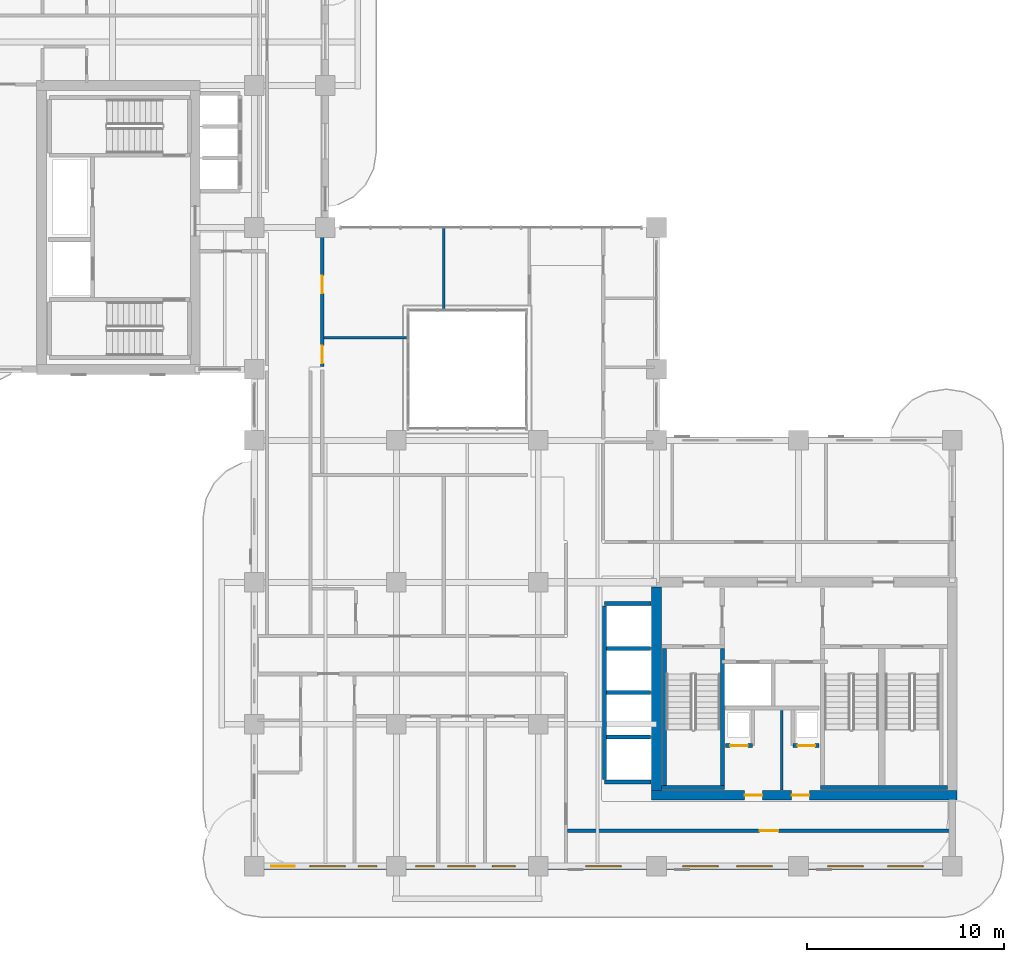
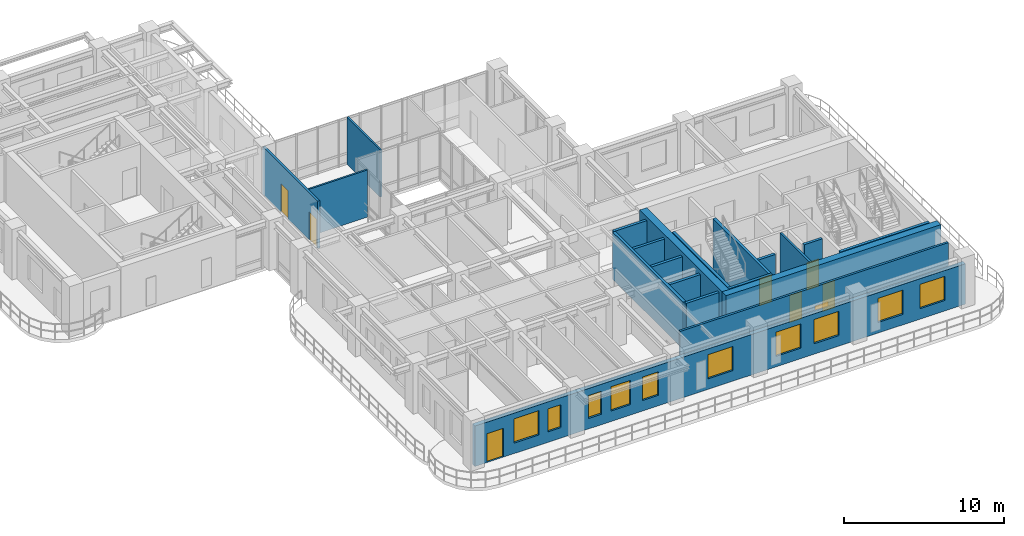
# One storey, part 12 of 20: 20 walls, 10 windows, 8 doors, 18 openings.
"""IFC4 building model written with IfcOpenShell, lengths in metres."""

import ifcopenshell
import ifcopenshell.guid

model = None  # the IFC model being written
_history = None  # IfcOwnerHistory: only IFC2X3 demands one
_inside = {}  # id of a spatial element -> (the spatial element, [elements in it])
_under = {}  # id of a project, library or spatial element -> (it, [spatial elements below it])
_declared = {}  # id of a project -> (the project, [libraries it declares])
_typed = {}  # id of a type object -> (the type object, [elements of that type])
_made_of = {}  # id of a material, layer set ... -> (it, [elements and type objects made of it])


def new_model(schema):
    """Start an empty IFC model of exactly this schema.

    Asked for "IFC4X3", IfcOpenShell would pick the latest addendum, in which some entities
    have other attributes; the version numbers below select the first issue.
    IFC2X3 requires an IfcOwnerHistory on every rooted entity: one is made here for all.
    """
    global model, _history
    if schema == "IFC4X3":
        model = ifcopenshell.file(schema_version=(4, 3, 0, 0))
    else:
        model = ifcopenshell.file(schema=schema)
    _inside.clear()
    _under.clear()
    _declared.clear()
    _typed.clear()
    _made_of.clear()
    _history = None
    if model.schema == "IFC2X3":
        org = make("IfcOrganization", Name="unknown")
        user = make(
            "IfcPersonAndOrganization",
            ThePerson=make("IfcPerson", FamilyName="unknown"),
            TheOrganization=org,
        )
        app = make(
            "IfcApplication",
            ApplicationDeveloper=org,
            Version="unknown",
            ApplicationFullName="unknown",
            ApplicationIdentifier="unknown",
        )
        _history = make(
            "IfcOwnerHistory",
            OwningUser=user,
            OwningApplication=app,
            ChangeAction="ADDED",
            CreationDate=0,
        )
    return model


def make(cls, **values):
    """One entity of the class cls with the attributes given. An attribute that is None is left unset."""
    return model.create_entity(
        cls, **{name: value for name, value in values.items() if value is not None}
    )


def rooted(cls, **values):
    """An entity with a GlobalId (a new one), such as an element, a storey or a relation."""
    return make(cls, GlobalId=ifcopenshell.guid.new(), OwnerHistory=_history, **values)


def si_unit(unit_type, name, prefix=None):
    """IfcSIUnit, for example si_unit("LENGTHUNIT", "METRE", prefix="MILLI")."""
    return make("IfcSIUnit", UnitType=unit_type, Prefix=prefix, Name=name)


def derived_unit(unit_type, elements):
    """IfcDerivedUnit: a product of units, each with its exponent."""
    return make(
        "IfcDerivedUnit",
        Elements=[
            make("IfcDerivedUnitElement", Unit=unit, Exponent=power)
            for unit, power in elements
        ],
        UnitType=unit_type,
    )


def assignment(units):
    """IfcUnitAssignment: the units of a project."""
    return None if units is None else make("IfcUnitAssignment", Units=units)


def point(xyz):
    """IfcCartesianPoint."""
    return None if xyz is None else make("IfcCartesianPoint", Coordinates=xyz)


def direction(xyz):
    """IfcDirection."""
    return None if xyz is None else make("IfcDirection", DirectionRatios=xyz)


def frame(location, z_axis=None, x_axis=None):
    """IfcAxis2Placement3D, a coordinate frame: its origin and axes. An axis left out is left unset."""
    return make(
        "IfcAxis2Placement3D",
        Location=point(location),
        Axis=direction(z_axis),
        RefDirection=direction(x_axis),
    )


def frame_2d(location, x_axis=None):
    """IfcAxis2Placement2D, a coordinate frame in the plane: its origin and x axis."""
    return make(
        "IfcAxis2Placement2D", Location=point(location), RefDirection=direction(x_axis)
    )


def origin():
    """The frame at (0, 0, 0) with its axes left unset."""
    return frame((0.0, 0.0, 0.0))


def place(relative_to, where):
    """IfcLocalPlacement: puts the frame where relative to a parent placement (None: the world)."""
    return make(
        "IfcLocalPlacement", PlacementRelTo=relative_to, RelativePlacement=where
    )


def context(
    kind, dimensions, precision=None, world=None, true_north=None, identifier=None
):
    """IfcGeometricRepresentationContext, for example the 3D "Model" context."""
    return make(
        "IfcGeometricRepresentationContext",
        ContextIdentifier=identifier,
        ContextType=kind,
        CoordinateSpaceDimension=dimensions,
        Precision=precision,
        WorldCoordinateSystem=world,
        TrueNorth=true_north,
    )


def subcontext(parent, identifier, kind, view, scale=None):
    """IfcGeometricRepresentationSubContext, for example "Body" below "Model"."""
    return make(
        "IfcGeometricRepresentationSubContext",
        ContextIdentifier=identifier,
        ContextType=kind,
        ParentContext=parent,
        TargetScale=scale,
        TargetView=view,
    )


def project(units=None, contexts=None):
    """IfcProject with its units and contexts."""
    return rooted(
        "IfcProject",
        Name="project",
        RepresentationContexts=contexts,
        UnitsInContext=assignment(units),
    )


def spatial(cls, under=None, at=None, **own):
    """A site, building, storey or space (cls), placed at a placement, below another one or the project."""
    s = rooted(cls, ObjectPlacement=at, **own)
    if under is not None:
        _under.setdefault(under.id(), (under, []))[1].append(s)
    return s


def profile(cls, at=None, kind="AREA", **sizes):
    """A parametric profile (cls). Its sizes go by their IFC names, for example OverallWidth=200.0."""
    return make(cls, ProfileType=kind, Position=at, **sizes)


def rectangle(**sizes):
    """IfcRectangleProfileDef."""
    return profile("IfcRectangleProfileDef", **sizes)


def extrude(swept, where, along, depth):
    """IfcExtrudedAreaSolid: the profile swept, set in the frame where, extruded along a direction by depth."""
    return make(
        "IfcExtrudedAreaSolid",
        SweptArea=swept,
        Position=where,
        ExtrudedDirection=direction(along),
        Depth=depth,
    )


def shape(context_of_items, identifier, shape_type, items):
    """IfcShapeRepresentation: the items that make up one representation, for example the "Body"."""
    return make(
        "IfcShapeRepresentation",
        ContextOfItems=context_of_items,
        RepresentationIdentifier=identifier,
        RepresentationType=shape_type,
        Items=items,
    )


def source(mapping_origin, context_of_items, identifier, shape_type, items):
    """IfcRepresentationMap: a shape defined once, which mapped items show again and again."""
    return make(
        "IfcRepresentationMap",
        MappingOrigin=mapping_origin,
        MappedRepresentation=shape(context_of_items, identifier, shape_type, items),
    )


def transform(
    local_origin,
    x_axis=None,
    y_axis=None,
    z_axis=None,
    scale=None,
    scale2=None,
    scale3=None,
    uniform=True,
):
    """IfcCartesianTransformationOperator3D, or its non-uniform kind. x_axis, y_axis, z_axis: its Axis1, 2, 3."""
    if uniform:
        return make(
            "IfcCartesianTransformationOperator3D",
            Axis1=direction(x_axis),
            Axis2=direction(y_axis),
            LocalOrigin=point(local_origin),
            Scale=scale,
            Axis3=direction(z_axis),
        )
    return make(
        "IfcCartesianTransformationOperator3DnonUniform",
        Axis1=direction(x_axis),
        Axis2=direction(y_axis),
        LocalOrigin=point(local_origin),
        Scale=scale,
        Axis3=direction(z_axis),
        Scale2=scale2,
        Scale3=scale3,
    )


def mapped(mapping_source, mapping_target):
    """IfcMappedItem: shows the shape of a source again, moved by a transform."""
    return make(
        "IfcMappedItem", MappingSource=mapping_source, MappingTarget=mapping_target
    )


def material(Name=None, Category=None):
    """IfcMaterial."""
    return make("IfcMaterial", Name=Name, Category=Category)


def layer(
    of_material, thickness, ventilated=None, Name=None, Category=None, Priority=None
):
    """IfcMaterialLayer: one layer of a wall or slab, of a material (None: an air gap)."""
    return make(
        "IfcMaterialLayer",
        Material=of_material,
        LayerThickness=thickness,
        IsVentilated=ventilated,
        Name=Name,
        Category=Category,
        Priority=Priority,
    )


def layer_set(layers, Name=None):
    """IfcMaterialLayerSet."""
    return make("IfcMaterialLayerSet", MaterialLayers=layers, LayerSetName=Name)


def made_of(thing, what):
    """Note that an element or type object is made of a material, layer set ...; save() writes the relation."""
    if what is not None:
        _made_of.setdefault(what.id(), (what, []))[1].append(thing)
    return thing


def type_object(cls, material=None, **own):
    """A type object (cls), such as IfcWallType, which elements share."""
    return made_of(rooted(cls, **own), material)


def type_shapes(of_type, sources):
    """Give a type object the sources (RepresentationMaps) that its elements show as mapped items."""
    of_type.RepresentationMaps = sources


def element(
    cls,
    number,
    at=None,
    inside=None,
    cuts=None,
    type_object=None,
    material=None,
    context=None,
    identifier="Body",
    shape_type=None,
    held_by="IfcProductDefinitionShape",
    body=None,
    shapes=None,
    **own,
):
    """One element of the class cls, such as IfcWall. Its Tag is "e" and its number.

    at: its placement. inside: the storey or other place that contains it. cuts: it is an
    opening in that element (IfcRelVoidsElement). A single representation is given by context,
    identifier, shape_type and body (its items); several are given by shapes. held_by: the class
    of the entity that holds the representations. save() writes the other relations.
    """
    e = rooted(cls, Tag="e%d" % number, ObjectPlacement=at, **own)
    if body is not None:
        shapes = [shape(context, identifier, shape_type, body)]
    if shapes is not None:
        e.Representation = make(held_by, Representations=shapes)
    if inside is not None:
        _inside.setdefault(inside.id(), (inside, []))[1].append(e)
    if cuts is not None:
        rooted(
            "IfcRelVoidsElement", RelatingBuildingElement=cuts, RelatedOpeningElement=e
        )
    if type_object is not None:
        _typed.setdefault(type_object.id(), (type_object, []))[1].append(e)
    return made_of(e, material)


def fill(opening, filler):
    """IfcRelFillsElement: the door or window that sits in an opening."""
    return rooted(
        "IfcRelFillsElement",
        RelatingOpeningElement=opening,
        RelatedBuildingElement=filler,
    )


def aggregate(whole, parts):
    """IfcRelAggregates: a whole, such as a stair, and the parts it consists of."""
    return rooted("IfcRelAggregates", RelatingObject=whole, RelatedObjects=parts)


def save(model, path):
    """Write the relations noted so far, then the file.

    IfcRelAggregates (storeys below a building ...), IfcRelContainedInSpatialStructure (elements
    in a storey), IfcRelDefinesByType, IfcRelAssociatesMaterial and IfcRelDeclares: one each for
    every whole, place, type object, material and project.
    """
    for whole, parts in _under.values():
        aggregate(whole, parts)
    for where, things in _inside.values():
        rooted(
            "IfcRelContainedInSpatialStructure",
            RelatedElements=things,
            RelatingStructure=where,
        )
    for kind, things in _typed.values():
        rooted("IfcRelDefinesByType", RelatedObjects=things, RelatingType=kind)
    for what, things in _made_of.values():
        rooted("IfcRelAssociatesMaterial", RelatedObjects=things, RelatingMaterial=what)
    for by, libraries in _declared.values():
        rooted("IfcRelDeclares", RelatingContext=by, RelatedDefinitions=libraries)
    model.write(path)


model = new_model("IFC4")

# Units and contexts
model_context = context("Model", 3, precision=1e-05, world=origin(), true_north=direction((0.0, 1.0)))
body_context = subcontext(model_context, "Body", "Model", "MODEL_VIEW")
ifc_project = project(units=[si_unit("LENGTHUNIT", "METRE"), si_unit("AREAUNIT", "SQUARE_METRE"), si_unit("VOLUMEUNIT", "CUBIC_METRE"), si_unit("PLANEANGLEUNIT", "RADIAN"), si_unit("MASSUNIT", "GRAM", prefix="KILO"), si_unit("THERMODYNAMICTEMPERATUREUNIT", "KELVIN"), si_unit("POWERUNIT", "WATT"), derived_unit("THERMALTRANSMITTANCEUNIT", [(si_unit("POWERUNIT", "WATT"), 1), (si_unit("AREAUNIT", "SQUARE_METRE"), -1), (si_unit("THERMODYNAMICTEMPERATUREUNIT", "KELVIN"), -1)])], contexts=[model_context])

# Site, building, storey
site_placement = place(None, origin())
site = spatial("IfcSite", under=ifc_project, at=site_placement, CompositionType="ELEMENT")
building_placement = place(site_placement, origin())
building = spatial("IfcBuilding", under=site, at=building_placement, Name="Zahravan Archway Hotel and Residences", CompositionType="ELEMENT")
storey_placement = place(building_placement, frame((0.0, 0.0, 177.25)))
storey = spatial("IfcBuildingStorey", under=building, at=storey_placement, Name="L44", CompositionType="ELEMENT", Elevation=177.25)

# Wall, openings, doors
ifc_material_1 = material(Name="Concrete C60/75", Category="concrete")
ifc_layer_1 = layer(ifc_material_1, 0.5, Name="Concrete C60/75", Category="concrete")
ifc_layer_set_1 = layer_set([ifc_layer_1], Name="Concrete C60/75")
wall_type_1 = type_object("IfcWallType", Name="CW-CORE-500", PredefinedType="SHEAR", material=ifc_layer_set_1)
wall_1_placement = place(storey_placement, frame((34.550048828125, 3.60009765625, 0.0), z_axis=(0.0, 0.0, 1.0), x_axis=(1.0, 0.0, 0.0)))
wall_1 = element("IfcWall", 1, at=wall_1_placement, inside=storey, type_object=wall_type_1, Name="L44 Core A Shear S Wall 500 mm", PredefinedType="SHEAR", context=body_context, shape_type="SweptSolid", body=[
    extrude(rectangle(XDim=15.5, YDim=0.5, at=frame_2d((7.75, 0.0))), origin(), (0.0, 0.0, 1.0), 3.85009765625),
])
opening_1_placement = place(wall_1_placement, frame((4.719970703125, 0.0, 0.0)))
opening_1 = element("IfcOpeningElement", 2, at=opening_1_placement, cuts=wall_1, Name="Opening FD-R1", PredefinedType="OPENING", context=body_context, shape_type="SweptSolid", body=[
    extrude(rectangle(XDim=0.89990234375, YDim=2.10009765625, at=frame_2d((0.449951171875, 1.050048828125))), frame((0.0, 0.260009765625, 0.0), z_axis=(0.0, -1.0, 0.0), x_axis=(1.0, 0.0, 0.0)), (0.0, 0.0, 1.0), 0.52001953125),
])
opening_2_placement = place(wall_1_placement, frame((7.10009765625, 0.0, 0.0)))
opening_2 = element("IfcOpeningElement", 3, at=opening_2_placement, cuts=wall_1, Name="Opening FD-R1", PredefinedType="OPENING", context=body_context, shape_type="SweptSolid", body=[
    extrude(rectangle(XDim=0.89990234375, YDim=2.10009765625, at=frame_2d((0.449951171875, 1.050048828125))), frame((0.0, 0.260009765625, 0.0), z_axis=(0.0, -1.0, 0.0), x_axis=(1.0, 0.0, 0.0)), (0.0, 0.0, 1.0), 0.52001953125),
])
ifc_material_2 = material(Name="Fire-Rated Painted Steel", Category="steel")
door_type_1 = type_object("IfcDoorType", Name="FD-RISER-900", OperationType="NOTDEFINED", PredefinedType="DOOR", material=ifc_material_2)
shared_shape_1 = source(origin(), body_context, "Body", "SweptSolid", [
    extrude(rectangle(XDim=0.89990234375, YDim=2.10009765625, at=frame_2d((0.449951171875, 1.050048828125))), frame((0.0, 0.02490234375, 0.0), z_axis=(0.0, -1.0, 0.0), x_axis=(1.0, 0.0, 0.0)), (0.0, 0.0, 1.0), 0.050048828125),
])
type_shapes(door_type_1, [shared_shape_1])
door_1_placement = place(opening_1_placement, origin())
door_1 = element("IfcDoor", 4, at=door_1_placement, inside=storey, type_object=door_type_1, Name="L44 Fan Room Door", OperationType="SINGLE_SWING_LEFT", OverallHeight=2.10009765625, OverallWidth=0.89990234375, PredefinedType="DOOR", context=body_context, shape_type="MappedRepresentation", body=[
    mapped(shared_shape_1, transform((0.0, 0.0, 0.0), scale=1.0)),
])
fill(opening_1, door_1)
door_2_placement = place(opening_2_placement, origin())
door_2 = element("IfcDoor", 5, at=door_2_placement, inside=storey, type_object=door_type_1, Name="L44 Sub-Meter Cupboard Door", OperationType="SINGLE_SWING_RIGHT", OverallHeight=2.10009765625, OverallWidth=0.89990234375, PredefinedType="DOOR", context=body_context, shape_type="MappedRepresentation", body=[
    mapped(shared_shape_1, transform((0.0, 0.0, 0.0), scale=1.0)),
])
fill(opening_2, door_2)

# Wall
wall_2_placement = place(storey_placement, frame((34.800048828125, 3.85009765625, 0.0), z_axis=(0.0, 0.0, 1.0), x_axis=(0.0, 1.0, 0.0)))
element("IfcWall", 6, at=wall_2_placement, inside=storey, type_object=wall_type_1, Name="L44 Core A Shear W Wall 500 mm", PredefinedType="SHEAR", context=body_context, shape_type="SweptSolid", body=[
    extrude(rectangle(XDim=10.2998046875, YDim=0.5, at=frame_2d((5.14990234375, 0.0))), origin(), (0.0, 0.0, 1.0), 3.85009765625),
])

# Wall, openings, door, windows
ifc_material_3 = material(Name="Agra Buff Sandstone & Insulated Backup", Category="masonry")
ifc_layer_2 = layer(ifc_material_3, 0.320068359375, Name="Agra Buff Sandstone & Insulated Backup", Category="masonry")
ifc_layer_set_2 = layer_set([ifc_layer_2], Name="Agra Buff Sandstone & Insulated Backup")
wall_type_2 = type_object("IfcWallType", Name="EW-SAND-320", PredefinedType="SOLIDWALL", material=ifc_layer_set_2)
wall_3_placement = place(storey_placement, frame((14.39990234375, 0.0, 0.0), z_axis=(0.0, 0.0, 1.0), x_axis=(1.0, 0.0, 0.0)))
wall_3 = element("IfcWall", 7, at=wall_3_placement, inside=storey, type_object=wall_type_2, Name="L44 Exterior Sandstone Wall WA-S", PredefinedType="SOLIDWALL", context=body_context, shape_type="SweptSolid", body=[
    extrude(rectangle(XDim=35.400146484375, YDim=0.320068359375, at=frame_2d((17.7001953125, 0.0))), origin(), (0.0, 0.0, 1.0), 3.0849609375),
])
opening_3_placement = place(wall_3_placement, frame((0.85009765625, 0.0, 0.0)))
opening_3 = element("IfcOpeningElement", 8, at=opening_3_placement, cuts=wall_3, Name="Opening ED-BL1", PredefinedType="OPENING", context=body_context, shape_type="SweptSolid", body=[
    extrude(rectangle(XDim=1.199951171875, YDim=2.199951171875, at=frame_2d((0.60009765625, 1.10009765625))), frame((0.0, 0.169921875, 0.0), z_axis=(0.0, -1.0, 0.0), x_axis=(1.0, 0.0, 0.0)), (0.0, 0.0, 1.0), 0.340087890625),
])
opening_4_placement = place(wall_3_placement, frame((2.81103515625, 0.0, 0.800048828125)))
opening_4 = element("IfcOpeningElement", 9, at=opening_4_placement, cuts=wall_3, Name="Opening W-02", PredefinedType="OPENING", context=body_context, shape_type="SweptSolid", body=[
    extrude(rectangle(XDim=1.800048828125, YDim=1.85009765625, at=frame_2d((0.89990234375, 0.925048828125))), frame((0.0, 0.169921875, 0.0), z_axis=(0.0, -1.0, 0.0), x_axis=(1.0, 0.0, 0.0)), (0.0, 0.0, 1.0), 0.340087890625),
])
opening_5_placement = place(wall_3_placement, frame((5.26904296875, 0.0, 0.800048828125)))
opening_5 = element("IfcOpeningElement", 10, at=opening_5_placement, cuts=wall_3, Name="Opening W-04", PredefinedType="OPENING", context=body_context, shape_type="SweptSolid", body=[
    extrude(rectangle(XDim=0.949951171875, YDim=1.75, at=frame_2d((0.47509765625, 0.875))), frame((0.0, 0.169921875, 0.0), z_axis=(0.0, -1.0, 0.0), x_axis=(1.0, 0.0, 0.0)), (0.0, 0.0, 1.0), 0.340087890625),
])
opening_6_placement = place(wall_3_placement, frame((8.180908203125, 0.0, 0.800048828125)))
opening_6 = element("IfcOpeningElement", 11, at=opening_6_placement, cuts=wall_3, Name="Opening W-04", PredefinedType="OPENING", context=body_context, shape_type="SweptSolid", body=[
    extrude(rectangle(XDim=0.949951171875, YDim=1.75, at=frame_2d((0.47509765625, 0.875))), frame((0.0, 0.169921875, 0.0), z_axis=(0.0, -1.0, 0.0), x_axis=(1.0, 0.0, 0.0)), (0.0, 0.0, 1.0), 0.340087890625),
])
opening_7_placement = place(wall_3_placement, frame((9.81005859375, 0.0, 0.800048828125)))
opening_7 = element("IfcOpeningElement", 12, at=opening_7_placement, cuts=wall_3, Name="Opening W-03", PredefinedType="OPENING", context=body_context, shape_type="SweptSolid", body=[
    extrude(rectangle(XDim=1.39990234375, YDim=1.85009765625, at=frame_2d((0.699951171875, 0.925048828125))), frame((0.0, 0.169921875, 0.0), z_axis=(0.0, -1.0, 0.0), x_axis=(1.0, 0.0, 0.0)), (0.0, 0.0, 1.0), 0.340087890625),
])
opening_8_placement = place(wall_3_placement, frame((12.0791015625, 0.0, 0.800048828125)))
opening_8 = element("IfcOpeningElement", 13, at=opening_8_placement, cuts=wall_3, Name="Opening W-05", PredefinedType="OPENING", context=body_context, shape_type="SweptSolid", body=[
    extrude(rectangle(XDim=1.14990234375, YDim=1.800048828125, at=frame_2d((0.574951171875, 0.89990234375))), frame((0.0, 0.169921875, 0.0), z_axis=(0.0, -1.0, 0.0), x_axis=(1.0, 0.0, 0.0)), (0.0, 0.0, 1.0), 0.340087890625),
])
opening_9_placement = place(wall_3_placement, frame((16.803955078125, 0.0, 0.800048828125)))
opening_9 = element("IfcOpeningElement", 14, at=opening_9_placement, cuts=wall_3, Name="Opening W-02", PredefinedType="OPENING", context=body_context, shape_type="SweptSolid", body=[
    extrude(rectangle(XDim=1.800048828125, YDim=1.85009765625, at=frame_2d((0.89990234375, 0.925048828125))), frame((0.0, 0.169921875, 0.0), z_axis=(0.0, -1.0, 0.0), x_axis=(1.0, 0.0, 0.0)), (0.0, 0.0, 1.0), 0.340087890625),
])
opening_10_placement = place(wall_3_placement, frame((21.72509765625, 0.0, 0.800048828125)))
opening_10 = element("IfcOpeningElement", 15, at=opening_10_placement, cuts=wall_3, Name="Opening W-02", PredefinedType="OPENING", context=body_context, shape_type="SweptSolid", body=[
    extrude(rectangle(XDim=1.800048828125, YDim=1.85009765625, at=frame_2d((0.89990234375, 0.925048828125))), frame((0.0, 0.169921875, 0.0), z_axis=(0.0, -1.0, 0.0), x_axis=(1.0, 0.0, 0.0)), (0.0, 0.0, 1.0), 0.340087890625),
])
opening_11_placement = place(wall_3_placement, frame((24.47509765625, 0.0, 0.800048828125)))
opening_11 = element("IfcOpeningElement", 16, at=opening_11_placement, cuts=wall_3, Name="Opening W-02", PredefinedType="OPENING", context=body_context, shape_type="SweptSolid", body=[
    extrude(rectangle(XDim=1.800048828125, YDim=1.85009765625, at=frame_2d((0.89990234375, 0.925048828125))), frame((0.0, 0.169921875, 0.0), z_axis=(0.0, -1.0, 0.0), x_axis=(1.0, 0.0, 0.0)), (0.0, 0.0, 1.0), 0.340087890625),
])
opening_12_placement = place(wall_3_placement, frame((29.074951171875, 0.0, 0.800048828125)))
opening_12 = element("IfcOpeningElement", 17, at=opening_12_placement, cuts=wall_3, Name="Opening W-02", PredefinedType="OPENING", context=body_context, shape_type="SweptSolid", body=[
    extrude(rectangle(XDim=1.800048828125, YDim=1.85009765625, at=frame_2d((0.89990234375, 0.925048828125))), frame((0.0, 0.169921875, 0.0), z_axis=(0.0, -1.0, 0.0), x_axis=(1.0, 0.0, 0.0)), (0.0, 0.0, 1.0), 0.340087890625),
])
opening_13_placement = place(wall_3_placement, frame((32.125, 0.0, 0.800048828125)))
opening_13 = element("IfcOpeningElement", 18, at=opening_13_placement, cuts=wall_3, Name="Opening W-02", PredefinedType="OPENING", context=body_context, shape_type="SweptSolid", body=[
    extrude(rectangle(XDim=1.800048828125, YDim=1.85009765625, at=frame_2d((0.89990234375, 0.925048828125))), frame((0.0, 0.169921875, 0.0), z_axis=(0.0, -1.0, 0.0), x_axis=(1.0, 0.0, 0.0)), (0.0, 0.0, 1.0), 0.340087890625),
])
ifc_material_4 = material(Name="Bronze-Anodized Glazed Aluminium", Category="aluminium")
door_type_2 = type_object("IfcDoorType", Name="ED-BALC-1200", OperationType="SLIDING_TO_LEFT", PredefinedType="DOOR", material=ifc_material_4)
shared_shape_2 = source(origin(), body_context, "Body", "SweptSolid", [
    extrude(rectangle(XDim=1.199951171875, YDim=2.199951171875, at=frame_2d((0.60009765625, 1.10009765625))), frame((0.0, 0.02490234375, 0.0), z_axis=(0.0, -1.0, 0.0), x_axis=(1.0, 0.0, 0.0)), (0.0, 0.0, 1.0), 0.050048828125),
])
type_shapes(door_type_2, [shared_shape_2])
door_3_placement = place(opening_3_placement, origin())
door_3 = element("IfcDoor", 19, at=door_3_placement, inside=storey, type_object=door_type_2, Name="L44 Outdoor Access Sliding Door (SLB-BAL-L44-SA)", OperationType="SLIDING_TO_LEFT", OverallHeight=2.199951171875, OverallWidth=1.199951171875, PredefinedType="DOOR", context=body_context, shape_type="MappedRepresentation", body=[
    mapped(shared_shape_2, transform((0.0, 0.0, 0.0), scale=1.0)),
])
fill(opening_3, door_3)
ifc_material_5 = material(Name="Bronze-Anodized Thermal-Break Aluminium & Low-E Glass", Category="aluminium")
window_type_1 = type_object("IfcWindowType", Name="WIN-TWR-1400", PartitioningType="SINGLE_PANEL", PredefinedType="WINDOW", material=ifc_material_5)
shared_shape_3 = source(origin(), body_context, "Body", "SweptSolid", [
    extrude(rectangle(XDim=1.39990234375, YDim=1.85009765625, at=frame_2d((0.699951171875, 0.925048828125))), frame((0.0, 0.030029296875, 0.0), z_axis=(0.0, -1.0, 0.0), x_axis=(1.0, 0.0, 0.0)), (0.0, 0.0, 1.0), 0.06005859375),
])
type_shapes(window_type_1, [shared_shape_3])
window_1_placement = place(opening_7_placement, origin())
window_1 = element("IfcWindow", 20, at=window_1_placement, inside=storey, type_object=window_type_1, Name="L44 Loggia Window 04", OverallHeight=1.85009765625, OverallWidth=1.39990234375, PartitioningType="SINGLE_PANEL", PredefinedType="WINDOW", context=body_context, shape_type="MappedRepresentation", body=[
    mapped(shared_shape_3, transform((0.0, 0.0, 0.0), scale=1.0)),
])
fill(opening_7, window_1)
window_type_2 = type_object("IfcWindowType", Name="WIN-NAR-950", PartitioningType="SINGLE_PANEL", PredefinedType="WINDOW", material=ifc_material_5)
shared_shape_4 = source(origin(), body_context, "Body", "SweptSolid", [
    extrude(rectangle(XDim=0.949951171875, YDim=1.75, at=frame_2d((0.47509765625, 0.875))), frame((0.0, 0.030029296875, 0.0), z_axis=(0.0, -1.0, 0.0), x_axis=(1.0, 0.0, 0.0)), (0.0, 0.0, 1.0), 0.06005859375),
])
type_shapes(window_type_2, [shared_shape_4])
window_2_placement = place(opening_5_placement, origin())
window_2 = element("IfcWindow", 21, at=window_2_placement, inside=storey, type_object=window_type_2, Name="L44 Loggia Window 02", OverallHeight=1.75, OverallWidth=0.949951171875, PartitioningType="SINGLE_PANEL", PredefinedType="WINDOW", context=body_context, shape_type="MappedRepresentation", body=[
    mapped(shared_shape_4, transform((0.0, 0.0, 0.0), scale=1.0)),
])
fill(opening_5, window_2)
window_3_placement = place(opening_6_placement, origin())
window_3 = element("IfcWindow", 22, at=window_3_placement, inside=storey, type_object=window_type_2, Name="L44 Loggia Window 03", OverallHeight=1.75, OverallWidth=0.949951171875, PartitioningType="SINGLE_PANEL", PredefinedType="WINDOW", context=body_context, shape_type="MappedRepresentation", body=[
    mapped(shared_shape_4, transform((0.0, 0.0, 0.0), scale=1.0)),
])
fill(opening_6, window_3)
window_type_3 = type_object("IfcWindowType", Name="WIN-TWR-1800", PartitioningType="DOUBLE_PANEL_VERTICAL", PredefinedType="WINDOW", material=ifc_material_5)
shared_shape_5 = source(origin(), body_context, "Body", "SweptSolid", [
    extrude(rectangle(XDim=1.800048828125, YDim=1.85009765625, at=frame_2d((0.89990234375, 0.925048828125))), frame((0.0, 0.030029296875, 0.0), z_axis=(0.0, -1.0, 0.0), x_axis=(1.0, 0.0, 0.0)), (0.0, 0.0, 1.0), 0.06005859375),
])
type_shapes(window_type_3, [shared_shape_5])
window_4_placement = place(opening_4_placement, origin())
window_4 = element("IfcWindow", 23, at=window_4_placement, inside=storey, type_object=window_type_3, Name="L44 Loggia Window 01", OverallHeight=1.85009765625, OverallWidth=1.800048828125, PartitioningType="DOUBLE_PANEL_VERTICAL", PredefinedType="WINDOW", context=body_context, shape_type="MappedRepresentation", body=[
    mapped(shared_shape_5, transform((0.0, 0.0, 0.0), scale=1.0)),
])
fill(opening_4, window_4)
window_5_placement = place(opening_9_placement, origin())
window_5 = element("IfcWindow", 24, at=window_5_placement, inside=storey, type_object=window_type_3, Name="L44 Loggia Window 06", OverallHeight=1.85009765625, OverallWidth=1.800048828125, PartitioningType="DOUBLE_PANEL_VERTICAL", PredefinedType="WINDOW", context=body_context, shape_type="MappedRepresentation", body=[
    mapped(shared_shape_5, transform((0.0, 0.0, 0.0), scale=1.0)),
])
fill(opening_9, window_5)
window_6_placement = place(opening_10_placement, origin())
window_6 = element("IfcWindow", 25, at=window_6_placement, inside=storey, type_object=window_type_3, Name="L44 Loggia Window 07", OverallHeight=1.85009765625, OverallWidth=1.800048828125, PartitioningType="DOUBLE_PANEL_VERTICAL", PredefinedType="WINDOW", context=body_context, shape_type="MappedRepresentation", body=[
    mapped(shared_shape_5, transform((0.0, 0.0, 0.0), scale=1.0)),
])
fill(opening_10, window_6)
window_7_placement = place(opening_11_placement, origin())
window_7 = element("IfcWindow", 26, at=window_7_placement, inside=storey, type_object=window_type_3, Name="L44 Loggia Window 08", OverallHeight=1.85009765625, OverallWidth=1.800048828125, PartitioningType="DOUBLE_PANEL_VERTICAL", PredefinedType="WINDOW", context=body_context, shape_type="MappedRepresentation", body=[
    mapped(shared_shape_5, transform((0.0, 0.0, 0.0), scale=1.0)),
])
fill(opening_11, window_7)
window_8_placement = place(opening_12_placement, origin())
window_8 = element("IfcWindow", 27, at=window_8_placement, inside=storey, type_object=window_type_3, Name="L44 Loggia Window 09", OverallHeight=1.85009765625, OverallWidth=1.800048828125, PartitioningType="DOUBLE_PANEL_VERTICAL", PredefinedType="WINDOW", context=body_context, shape_type="MappedRepresentation", body=[
    mapped(shared_shape_5, transform((0.0, 0.0, 0.0), scale=1.0)),
])
fill(opening_12, window_8)
window_9_placement = place(opening_13_placement, origin())
window_9 = element("IfcWindow", 28, at=window_9_placement, inside=storey, type_object=window_type_3, Name="L44 Loggia Window 10", OverallHeight=1.85009765625, OverallWidth=1.800048828125, PartitioningType="DOUBLE_PANEL_VERTICAL", PredefinedType="WINDOW", context=body_context, shape_type="MappedRepresentation", body=[
    mapped(shared_shape_5, transform((0.0, 0.0, 0.0), scale=1.0)),
])
fill(opening_13, window_9)
window_type_4 = type_object("IfcWindowType", Name="WIN-TWR-1150", PartitioningType="SINGLE_PANEL", PredefinedType="WINDOW", material=ifc_material_5)
shared_shape_6 = source(origin(), body_context, "Body", "SweptSolid", [
    extrude(rectangle(XDim=1.14990234375, YDim=1.800048828125, at=frame_2d((0.574951171875, 0.89990234375))), frame((0.0, 0.030029296875, 0.0), z_axis=(0.0, -1.0, 0.0), x_axis=(1.0, 0.0, 0.0)), (0.0, 0.0, 1.0), 0.06005859375),
])
type_shapes(window_type_4, [shared_shape_6])
window_10_placement = place(opening_8_placement, origin())
window_10 = element("IfcWindow", 29, at=window_10_placement, inside=storey, type_object=window_type_4, Name="L44 Loggia Window 05", OverallHeight=1.800048828125, OverallWidth=1.14990234375, PartitioningType="SINGLE_PANEL", PredefinedType="WINDOW", context=body_context, shape_type="MappedRepresentation", body=[
    mapped(shared_shape_6, transform((0.0, 0.0, 0.0), scale=1.0)),
])
fill(opening_8, window_10)

# Wall, opening, door
ifc_material_6 = material(Name="Fire-Rated Gypsum & Concrete Block", Category="concrete")
ifc_layer_3 = layer(ifc_material_6, 0.159912109375, Name="Fire-Rated Gypsum & Concrete Block", Category="concrete")
ifc_layer_set_3 = layer_set([ifc_layer_3], Name="Fire-Rated Gypsum & Concrete Block")
wall_type_3 = type_object("IfcWallType", Name="PW-CORR-160", PredefinedType="PARTITIONING", material=ifc_layer_set_3)
wall_4_placement = place(storey_placement, frame((30.2900390625, 1.800048828125, 0.0), z_axis=(0.0, 0.0, 1.0), x_axis=(1.0, 0.0, 0.0)))
wall_4 = element("IfcWall", 30, at=wall_4_placement, inside=storey, type_object=wall_type_3, Name="L44 Partition WA-SRS", PredefinedType="PARTITIONING", context=body_context, shape_type="SweptSolid", body=[
    extrude(rectangle(XDim=19.369873046875, YDim=0.159912109375, at=frame_2d((9.68505859375, 0.0))), origin(), (0.0, 0.0, 1.0), 3.60009765625),
])
opening_14_placement = place(wall_4_placement, frame((9.735107421875, 0.0, 0.0)))
opening_14 = element("IfcOpeningElement", 31, at=opening_14_placement, cuts=wall_4, Name="Opening D-I1", PredefinedType="OPENING", context=body_context, shape_type="SweptSolid", body=[
    extrude(rectangle(XDim=0.949951171875, YDim=2.14990234375, at=frame_2d((0.47509765625, 1.074951171875))), frame((0.0, 0.08984375, 0.0), z_axis=(0.0, -1.0, 0.0), x_axis=(1.0, 0.0, 0.0)), (0.0, 0.0, 1.0), 0.179931640625),
])
ifc_material_7 = material(Name="Hardwood Veneer Timber", Category="wood")
door_type_3 = type_object("IfcDoorType", Name="ID-INT-950", OperationType="NOTDEFINED", PredefinedType="DOOR", material=ifc_material_7)
shared_shape_7 = source(origin(), body_context, "Body", "SweptSolid", [
    extrude(rectangle(XDim=0.949951171875, YDim=2.14990234375, at=frame_2d((0.47509765625, 1.074951171875))), frame((0.0, 0.02490234375, 0.0), z_axis=(0.0, -1.0, 0.0), x_axis=(1.0, 0.0, 0.0)), (0.0, 0.0, 1.0), 0.050048828125),
])
type_shapes(door_type_3, [shared_shape_7])
door_4_placement = place(opening_14_placement, origin())
door_4 = element("IfcDoor", 32, at=door_4_placement, inside=storey, type_object=door_type_3, Name="L44 South Viewing Lounge Door", OperationType="SINGLE_SWING_LEFT", OverallHeight=2.14990234375, OverallWidth=0.949951171875, PredefinedType="DOOR", context=body_context, shape_type="MappedRepresentation", body=[
    mapped(shared_shape_7, transform((0.0, 0.0, 0.0), scale=1.0)),
])
fill(opening_14, door_4)

# Walls
ifc_material_8 = material(Name="Acoustic Stud Partition")
ifc_layer_4 = layer(ifc_material_8, 0.125, Name="Acoustic Stud Partition")
ifc_layer_set_4 = layer_set([ifc_layer_4], Name="Acoustic Stud Partition")
wall_type_4 = type_object("IfcWallType", Name="PW-INT-125", PredefinedType="PARTITIONING", material=ifc_layer_set_4)
wall_5_placement = place(storey_placement, frame((17.93994140625, 26.800048828125, 0.0), z_axis=(0.0, 0.0, 1.0), x_axis=(1.0, 0.0, 0.0)))
element("IfcWall", 33, at=wall_5_placement, inside=storey, type_object=wall_type_4, Name="L44 Partition ATR-NW3A", PredefinedType="PARTITIONING", context=body_context, shape_type="SweptSolid", body=[
    extrude(rectangle(XDim=4.232177734375, YDim=0.125, at=frame_2d((2.1162109375, 0.0))), origin(), (0.0, 0.0, 1.0), 3.60009765625),
])
wall_6_placement = place(storey_placement, frame((24.0, 28.22802734375, 0.0), z_axis=(0.0, 0.0, 1.0), x_axis=(0.0, 1.0, 0.0)))
element("IfcWall", 34, at=wall_6_placement, inside=storey, type_object=wall_type_4, Name="L44 Partition ATR-NW3B", PredefinedType="PARTITIONING", context=body_context, shape_type="SweptSolid", body=[
    extrude(rectangle(XDim=4.14404296875, YDim=0.125, at=frame_2d((2.072021484375, 0.0))), origin(), (0.0, 0.0, 1.0), 3.60009765625),
])

# Wall, opening, door
ifc_layer_5 = layer(ifc_material_6, 0.199951171875, Name="Fire-Rated Gypsum & Concrete Block", Category="concrete")
ifc_layer_set_5 = layer_set([ifc_layer_5], Name="Fire-Rated Gypsum & Concrete Block")
wall_type_5 = type_object("IfcWallType", Name="PW-SHAFT-200", PredefinedType="PARTITIONING", material=ifc_layer_set_5)
wall_7_placement = place(storey_placement, frame((38.2900390625, 6.1201171875, 0.0), z_axis=(0.0, 0.0, 1.0), x_axis=(1.0, 0.0, 0.0)))
wall_7 = element("IfcWall", 35, at=wall_7_placement, inside=storey, type_object=wall_type_5, Name="L44 Partition CA-SMKS", PredefinedType="PARTITIONING", context=body_context, shape_type="SweptSolid", body=[
    extrude(rectangle(XDim=1.3798828125, YDim=0.199951171875, at=frame_2d((0.68994140625, 0.0))), origin(), (0.0, 0.0, 1.0), 3.60009765625),
])
opening_15_placement = place(wall_7_placement, frame((0.239990234375, 0.0, 0.0)))
opening_15 = element("IfcOpeningElement", 36, at=opening_15_placement, cuts=wall_7, Name="Opening FD-R1", PredefinedType="OPENING", context=body_context, shape_type="SweptSolid", body=[
    extrude(rectangle(XDim=0.89990234375, YDim=2.10009765625, at=frame_2d((0.449951171875, 1.050048828125))), frame((0.0, 0.10986328125, 0.0), z_axis=(0.0, -1.0, 0.0), x_axis=(1.0, 0.0, 0.0)), (0.0, 0.0, 1.0), 0.219970703125),
])
door_5_placement = place(opening_15_placement, origin())
door_5 = element("IfcDoor", 37, at=door_5_placement, inside=storey, type_object=door_type_1, Name="L44 Smoke Riser Access Door", OperationType="SINGLE_SWING_LEFT", OverallHeight=2.10009765625, OverallWidth=0.89990234375, PredefinedType="DOOR", context=body_context, shape_type="MappedRepresentation", body=[
    mapped(shared_shape_1, transform((0.0, 0.0, 0.0), scale=1.0)),
])
fill(opening_15, door_5)

wall_8_placement = place(storey_placement, frame((41.72998046875, 6.1201171875, 0.0), z_axis=(0.0, 0.0, 1.0), x_axis=(1.0, 0.0, 0.0)))
wall_8 = element("IfcWall", 38, at=wall_8_placement, inside=storey, type_object=wall_type_5, Name="L44 Partition CA-MEPS", PredefinedType="PARTITIONING", context=body_context, shape_type="SweptSolid", body=[
    extrude(rectangle(XDim=1.320068359375, YDim=0.199951171875, at=frame_2d((0.66015625, 0.0))), origin(), (0.0, 0.0, 1.0), 3.60009765625),
])
opening_16_placement = place(wall_8_placement, frame((0.219970703125, 0.0, 0.0)))
opening_16 = element("IfcOpeningElement", 39, at=opening_16_placement, cuts=wall_8, Name="Opening FD-R1", PredefinedType="OPENING", context=body_context, shape_type="SweptSolid", body=[
    extrude(rectangle(XDim=0.89990234375, YDim=2.10009765625, at=frame_2d((0.449951171875, 1.050048828125))), frame((0.0, 0.10986328125, 0.0), z_axis=(0.0, -1.0, 0.0), x_axis=(1.0, 0.0, 0.0)), (0.0, 0.0, 1.0), 0.219970703125),
])
door_6_placement = place(opening_16_placement, origin())
door_6 = element("IfcDoor", 40, at=door_6_placement, inside=storey, type_object=door_type_1, Name="L44 MEP Riser Access Door", OperationType="SINGLE_SWING_RIGHT", OverallHeight=2.10009765625, OverallWidth=0.89990234375, PredefinedType="DOOR", context=body_context, shape_type="MappedRepresentation", body=[
    mapped(shared_shape_1, transform((0.0, 0.0, 0.0), scale=1.0)),
])
fill(opening_16, door_6)

# Walls
for number, where, z_axis, x_axis, name in (
    (41, (32.159912109375, 4.280029296875, 0.0), (0.0, 0.0, 1.0), (1.0, 0.0, 0.0), "L44 Partition B3-S"),
    (42, (32.159912109375, 13.320068359375, 0.0), (0.0, 0.0, 1.0), (1.0, 0.0, 0.0), "L44 Partition B3-N"),
):
    element("IfcWall", number, at=place(storey_placement, frame(where, z_axis=z_axis, x_axis=x_axis)), inside=storey, type_object=wall_type_5, Name=name, PredefinedType="PARTITIONING", context=body_context, shape_type="SweptSolid", body=[
        extrude(rectangle(XDim=2.360107421875, YDim=0.199951171875, at=frame_2d((1.18017578125, 0.0))), origin(), (0.0, 0.0, 1.0), 3.60009765625),
    ])
wall_9_placement = place(storey_placement, frame((32.14990234375, 4.389892578125, 0.0), z_axis=(0.0, 0.0, 1.0), x_axis=(0.0, 1.0, 0.0)))
element("IfcWall", 43, at=wall_9_placement, inside=storey, type_object=wall_type_5, Name="L44 Partition B3-W", PredefinedType="PARTITIONING", context=body_context, shape_type="SweptSolid", body=[
    extrude(rectangle(XDim=8.820068359375, YDim=0.199951171875, at=frame_2d((4.41015625, 0.0))), origin(), (0.0, 0.0, 1.0), 3.60009765625),
])
for number, where, z_axis, x_axis, name in (
    (44, (32.260009765625, 6.56005859375, 0.0), (0.0, 0.0, 1.0), (1.0, 0.0, 0.0), "L44 Partition B3-D"),
    (45, (32.260009765625, 8.800048828125, 0.0), (0.0, 0.0, 1.0), (1.0, 0.0, 0.0), "L44 Partition B3-D"),
    (46, (32.260009765625, 11.0400390625, 0.0), (0.0, 0.0, 1.0), (1.0, 0.0, 0.0), "L44 Partition B3-D"),
):
    element("IfcWall", number, at=place(storey_placement, frame(where, z_axis=z_axis, x_axis=x_axis)), inside=storey, type_object=wall_type_5, Name=name, PredefinedType="PARTITIONING", context=body_context, shape_type="SweptSolid", body=[
        extrude(rectangle(XDim=2.22998046875, YDim=0.199951171875, at=frame_2d((1.114990234375, 0.0))), origin(), (0.0, 0.0, 1.0), 3.60009765625),
    ])

# Wall, openings, doors
ifc_layer_6 = layer(ifc_material_8, 0.169921875, Name="Acoustic Stud Partition")
ifc_layer_set_6 = layer_set([ifc_layer_6], Name="Acoustic Stud Partition")
wall_type_6 = type_object("IfcWallType", Name="PW-UNIT-170", PredefinedType="PARTITIONING", material=ifc_layer_set_6)
wall_10_placement = place(storey_placement, frame((17.85009765625, 25.340087890625, 0.0), z_axis=(0.0, 0.0, 1.0), x_axis=(0.0, 1.0, 0.0)))
wall_10 = element("IfcWall", 47, at=wall_10_placement, inside=storey, type_object=wall_type_6, Name="L44 Partition ATR-W2", PredefinedType="PARTITIONING", context=body_context, shape_type="SweptSolid", body=[
    extrude(rectangle(XDim=6.869873046875, YDim=0.169921875, at=frame_2d((3.43505859375, 0.0))), origin(), (0.0, 0.0, 1.0), 3.60009765625),
])
opening_17_placement = place(wall_10_placement, frame((0.159912109375, 0.0, 0.0)))
opening_17 = element("IfcOpeningElement", 48, at=opening_17_placement, cuts=wall_10, Name="Opening D-I2", PredefinedType="OPENING", context=body_context, shape_type="SweptSolid", body=[
    extrude(rectangle(XDim=0.89990234375, YDim=2.14990234375, at=frame_2d((0.449951171875, 1.074951171875))), frame((0.0, 0.094970703125, 0.0), z_axis=(0.0, -1.0, 0.0), x_axis=(1.0, 0.0, 0.0)), (0.0, 0.0, 1.0), 0.18994140625),
])
opening_18_placement = place(wall_10_placement, frame((3.7099609375, 0.0, 0.0)))
opening_18 = element("IfcOpeningElement", 49, at=opening_18_placement, cuts=wall_10, Name="Opening D-I2", PredefinedType="OPENING", context=body_context, shape_type="SweptSolid", body=[
    extrude(rectangle(XDim=0.89990234375, YDim=2.14990234375, at=frame_2d((0.449951171875, 1.074951171875))), frame((0.0, 0.094970703125, 0.0), z_axis=(0.0, -1.0, 0.0), x_axis=(1.0, 0.0, 0.0)), (0.0, 0.0, 1.0), 0.18994140625),
])
door_type_4 = type_object("IfcDoorType", Name="ID-INT-900", OperationType="NOTDEFINED", PredefinedType="DOOR", material=ifc_material_7)
shared_shape_8 = source(origin(), body_context, "Body", "SweptSolid", [
    extrude(rectangle(XDim=0.89990234375, YDim=2.14990234375, at=frame_2d((0.449951171875, 1.074951171875))), frame((0.0, 0.02490234375, 0.0), z_axis=(0.0, -1.0, 0.0), x_axis=(1.0, 0.0, 0.0)), (0.0, 0.0, 1.0), 0.050048828125),
])
type_shapes(door_type_4, [shared_shape_8])
door_7_placement = place(opening_17_placement, origin())
door_7 = element("IfcDoor", 50, at=door_7_placement, inside=storey, type_object=door_type_4, Name="L44 Atrium SW Office Door", OperationType="SINGLE_SWING_LEFT", OverallHeight=2.14990234375, OverallWidth=0.89990234375, PredefinedType="DOOR", context=body_context, shape_type="MappedRepresentation", body=[
    mapped(shared_shape_8, transform((0.0, 0.0, 0.0), scale=1.0)),
])
fill(opening_17, door_7)
door_8_placement = place(opening_18_placement, origin())
door_8 = element("IfcDoor", 51, at=door_8_placement, inside=storey, type_object=door_type_4, Name="L44 Atrium NW Office Door", OperationType="SINGLE_SWING_RIGHT", OverallHeight=2.14990234375, OverallWidth=0.89990234375, PredefinedType="DOOR", context=body_context, shape_type="MappedRepresentation", body=[
    mapped(shared_shape_8, transform((0.0, 0.0, 0.0), scale=1.0)),
])
fill(opening_18, door_8)

# Walls
ifc_material_9 = material(Name="Moisture-Resistant Blockwork", Category="masonry")
ifc_layer_7 = layer(ifc_material_9, 0.139892578125, Name="Moisture-Resistant Blockwork", Category="masonry")
ifc_layer_set_7 = layer_set([ifc_layer_7], Name="Moisture-Resistant Blockwork")
wall_type_7 = type_object("IfcWallType", Name="PW-WET-140", PredefinedType="PARTITIONING", material=ifc_layer_set_7)
wall_11_placement = place(storey_placement, frame((41.14990234375, 3.8701171875, 0.0), z_axis=(0.0, 0.0, 1.0), x_axis=(0.0, 1.0, 0.0)))
element("IfcWall", 52, at=wall_11_placement, inside=storey, type_object=wall_type_7, Name="L44 Partition CA-CV2V", PredefinedType="PARTITIONING", context=body_context, shape_type="SweptSolid", body=[
    extrude(rectangle(XDim=4.039794921875, YDim=0.139892578125, at=frame_2d((2.02001953125, 0.0))), origin(), (0.0, 0.0, 1.0), 3.60009765625),
])
ifc_material_10 = material(Name="Concrete C50/60", Category="concrete")
ifc_layer_8 = layer(ifc_material_10, 0.199951171875, Name="Concrete C50/60", Category="concrete")
ifc_layer_set_8 = layer_set([ifc_layer_8], Name="Concrete C50/60")
wall_type_8 = type_object("IfcWallType", Name="SW-STAIR-200", PredefinedType="SHEAR", material=ifc_layer_set_8)
wall_12_placement = place(storey_placement, frame((35.050048828125, 4.0, 0.0), z_axis=(0.0, 0.0, 1.0), x_axis=(1.0, 0.0, 0.0)))
element("IfcWall", 53, at=wall_12_placement, inside=storey, type_object=wall_type_8, Name="L44 Stairwell RC Wall CA-SA1S", PredefinedType="SHEAR", context=body_context, shape_type="SweptSolid", body=[
    extrude(rectangle(XDim=3.18994140625, YDim=0.199951171875, at=frame_2d((1.594970703125, 0.0))), origin(), (0.0, 0.0, 1.0), 3.85009765625),
])
for number, where, z_axis, x_axis, name in (
    (54, (35.199951171875, 4.10009765625, 0.0), (0.0, 0.0, 1.0), (0.0, 1.0, 0.0), "L44 Stairwell RC Wall CA-SA1W"),
    (55, (38.139892578125, 4.10009765625, 0.0), (0.0, 0.0, 1.0), (0.0, 1.0, 0.0), "L44 Stairwell RC Wall CA-SA1E"),
):
    element("IfcWall", number, at=place(storey_placement, frame(where, z_axis=z_axis, x_axis=x_axis)), inside=storey, type_object=wall_type_8, Name=name, PredefinedType="SHEAR", context=body_context, shape_type="SweptSolid", body=[
        extrude(rectangle(XDim=6.949951171875, YDim=0.199951171875, at=frame_2d((3.47509765625, 0.0))), origin(), (0.0, 0.0, 1.0), 3.85009765625),
    ])
wall_13_placement = place(storey_placement, frame((43.1201171875, 4.0, 0.0), z_axis=(0.0, 0.0, 1.0), x_axis=(1.0, 0.0, 0.0)))
element("IfcWall", 56, at=wall_13_placement, inside=storey, type_object=wall_type_8, Name="L44 Stairwell RC Wall CA-SA23S", PredefinedType="SHEAR", context=body_context, shape_type="SweptSolid", body=[
    extrude(rectangle(XDim=6.429931640625, YDim=0.199951171875, at=frame_2d((3.21484375, 0.0))), origin(), (0.0, 0.0, 1.0), 3.85009765625),
])

save(model, "model.ifc")
